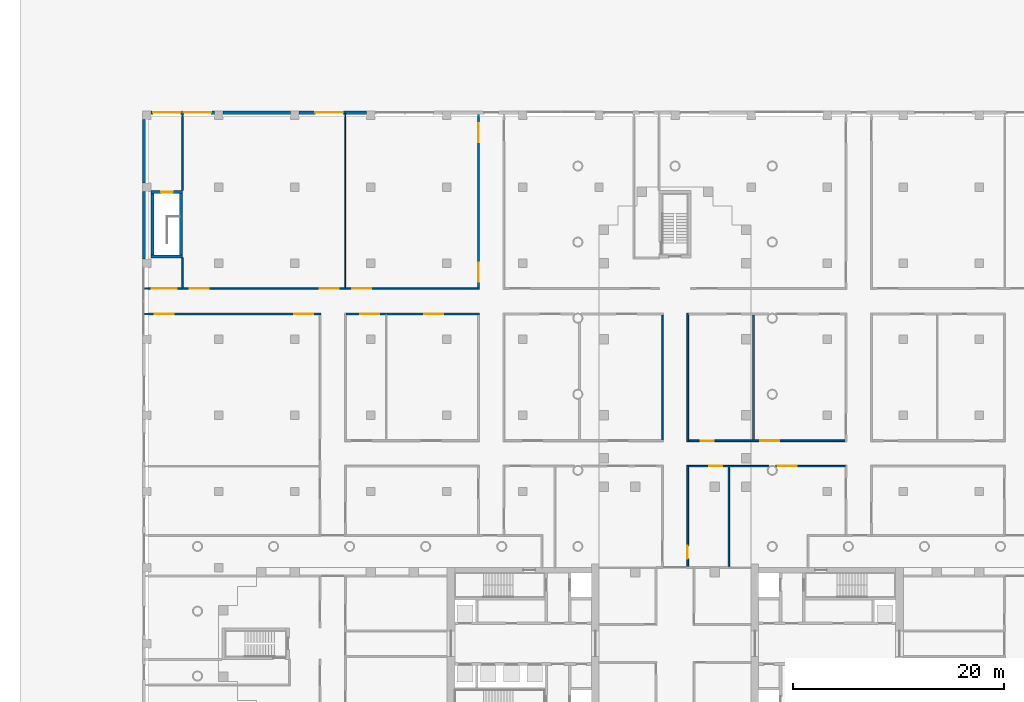
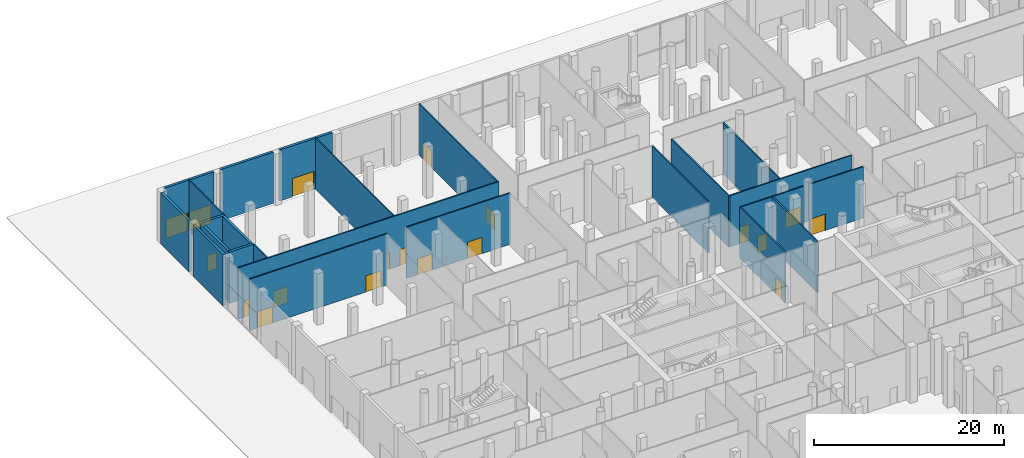
# One storey, part 25 of 44: 24 walls, 19 doors, 19 openings.
"""IFC4 building model written with IfcOpenShell, lengths in metres."""

from ifc_helpers import new_model, si_unit, direction, frame, frame_2d, origin, place, context, subcontext, project, spatial, rectangle, extrude, material, layer, layer_set, type_object, element, fill, save


model = new_model("IFC4")

# Units and contexts
model_context = context("Model", 3, precision=1e-05, world=origin(), true_north=direction((0.0, 1.0)))
body_context = subcontext(model_context, "Body", "Model", "MODEL_VIEW")
ifc_project = project(units=[si_unit("LENGTHUNIT", "METRE"), si_unit("AREAUNIT", "SQUARE_METRE"), si_unit("VOLUMEUNIT", "CUBIC_METRE"), si_unit("PLANEANGLEUNIT", "RADIAN"), si_unit("MASSUNIT", "GRAM", prefix="KILO")], contexts=[model_context])

# Site, building, storey
site_placement = place(None, origin())
site = spatial("IfcSite", under=ifc_project, at=site_placement, CompositionType="ELEMENT")
building_placement = place(site_placement, origin())
building = spatial("IfcBuilding", under=site, at=building_placement, Name="Fustian Cross Tower", CompositionType="ELEMENT")
storey_placement = place(building_placement, origin())
storey = spatial("IfcBuildingStorey", under=building, at=storey_placement, Name="L00", CompositionType="ELEMENT", Elevation=0.0)

# Wall, openings, doors
ifc_material_1 = material(Name="Plasterboard on steel stud", Category="steel")
ifc_layer_1 = layer(ifc_material_1, 0.14990234375)
ifc_layer_set_1 = layer_set([ifc_layer_1], Name="Plasterboard on steel stud")
wall_type_1 = type_object("IfcWallType", Name="COMPARTMENT WALL 150 EI 60", PredefinedType="PARTITIONING", material=ifc_layer_set_1)
wall_1_placement = place(storey_placement, frame((-50.219970703125, 31.199951171875, 0.0), z_axis=(0.0, 0.0, 1.0), x_axis=(1.0, 0.0, 0.0)))
wall_1 = element("IfcWall", 1, at=wall_1_placement, inside=storey, type_object=wall_type_1, Name="Partition 11", PredefinedType="PARTITIONING", context=body_context, shape_type="SweptSolid", body=[
    extrude(rectangle(XDim=16.695068359375, YDim=0.14990234375, at=frame_2d((8.34765625, 0.0))), origin(), (0.0, 0.0, 1.0), 6.60009765625),
])
opening_1_placement = place(wall_1_placement, frame((0.969970703125, 0.0, 0.0)))
opening_1 = element("IfcOpeningElement", 2, at=opening_1_placement, cuts=wall_1, Name="Opening D02081", PredefinedType="OPENING", context=body_context, shape_type="SweptSolid", body=[
    extrude(rectangle(XDim=1.800048828125, YDim=2.10009765625, at=frame_2d((0.89990234375, 1.050048828125))), frame((0.0, 0.0849609375, 0.0), z_axis=(0.0, -1.0, 0.0), x_axis=(1.0, 0.0, 0.0)), (0.0, 0.0, 1.0), 0.169921875),
])
opening_2_placement = place(wall_1_placement, frame((14.169921875, 0.0, 0.0)))
opening_2 = element("IfcOpeningElement", 3, at=opening_2_placement, cuts=wall_1, Name="Opening D02082", PredefinedType="OPENING", context=body_context, shape_type="SweptSolid", body=[
    extrude(rectangle(XDim=1.800048828125, YDim=2.10009765625, at=frame_2d((0.89990234375, 1.050048828125))), frame((0.0, 0.0849609375, 0.0), z_axis=(0.0, -1.0, 0.0), x_axis=(1.0, 0.0, 0.0)), (0.0, 0.0, 1.0), 0.169921875),
])
ifc_material_2 = material(Name="Timber fire door set", Category="wood")
door_type_1 = type_object("IfcDoorType", Name="FIRE DOUBLE DOOR 1800 FD30S", OperationType="DOUBLE_DOOR_DOUBLE_SWING", PredefinedType="DOOR", material=ifc_material_2)
door_1_placement = place(opening_1_placement, origin())
door_1 = element("IfcDoor", 4, at=door_1_placement, inside=storey, type_object=door_type_1, Name="Door D02081", OperationType="DOUBLE_DOOR_DOUBLE_SWING", OverallHeight=2.10009765625, OverallWidth=1.800048828125, PredefinedType="DOOR", context=body_context, shape_type="SweptSolid", body=[
    extrude(rectangle(XDim=1.800048828125, YDim=2.10009765625, at=frame_2d((0.89990234375, 1.050048828125))), frame((0.0, 0.02490234375, 0.0), z_axis=(0.0, -1.0, 0.0), x_axis=(1.0, 0.0, 0.0)), (0.0, 0.0, 1.0), 0.050048828125),
])
fill(opening_1, door_1)
door_2_placement = place(opening_2_placement, origin())
door_2 = element("IfcDoor", 5, at=door_2_placement, inside=storey, type_object=door_type_1, Name="Door D02082", OperationType="DOUBLE_DOOR_DOUBLE_SWING", OverallHeight=2.10009765625, OverallWidth=1.800048828125, PredefinedType="DOOR", context=body_context, shape_type="SweptSolid", body=[
    extrude(rectangle(XDim=1.800048828125, YDim=2.10009765625, at=frame_2d((0.89990234375, 1.050048828125))), frame((0.0, 0.02490234375, 0.0), z_axis=(0.0, -1.0, 0.0), x_axis=(1.0, 0.0, 0.0)), (0.0, 0.0, 1.0), 0.050048828125),
])
fill(opening_2, door_2)

wall_2_placement = place(storey_placement, frame((-50.219970703125, 33.60009765625, 0.0), z_axis=(0.0, 0.0, 1.0), x_axis=(1.0, 0.0, 0.0)))
wall_2 = element("IfcWall", 6, at=wall_2_placement, inside=storey, type_object=wall_type_1, Name="Partition 12", PredefinedType="PARTITIONING", context=body_context, shape_type="SweptSolid", body=[
    extrude(rectangle(XDim=31.695068359375, YDim=0.14990234375, at=frame_2d((15.84765625, 0.0))), origin(), (0.0, 0.0, 1.0), 6.60009765625),
])
opening_3_placement = place(wall_2_placement, frame((0.669921875, 0.0, 0.0)))
opening_3 = element("IfcOpeningElement", 7, at=opening_3_placement, cuts=wall_2, Name="Opening D02031", PredefinedType="OPENING", context=body_context, shape_type="SweptSolid", body=[
    extrude(rectangle(XDim=2.39990234375, YDim=2.10009765625, at=frame_2d((1.199951171875, 1.050048828125))), frame((0.0, 0.0849609375, 0.0), z_axis=(0.0, -1.0, 0.0), x_axis=(1.0, 0.0, 0.0)), (0.0, 0.0, 1.0), 0.169921875),
])
opening_4_placement = place(wall_2_placement, frame((19.669921875, 0.0, 0.0)))
opening_4 = element("IfcOpeningElement", 8, at=opening_4_placement, cuts=wall_2, Name="Opening D02087", PredefinedType="OPENING", context=body_context, shape_type="SweptSolid", body=[
    extrude(rectangle(XDim=1.800048828125, YDim=2.10009765625, at=frame_2d((0.89990234375, 1.050048828125))), frame((0.0, 0.0849609375, 0.0), z_axis=(0.0, -1.0, 0.0), x_axis=(1.0, 0.0, 0.0)), (0.0, 0.0, 1.0), 0.169921875),
])
opening_5_placement = place(wall_2_placement, frame((4.27001953125, 0.0, 0.0)))
opening_5 = element("IfcOpeningElement", 9, at=opening_5_placement, cuts=wall_2, Name="Opening D02090", PredefinedType="OPENING", context=body_context, shape_type="SweptSolid", body=[
    extrude(rectangle(XDim=1.800048828125, YDim=2.10009765625, at=frame_2d((0.89990234375, 1.050048828125))), frame((0.0, 0.0849609375, 0.0), z_axis=(0.0, -1.0, 0.0), x_axis=(1.0, 0.0, 0.0)), (0.0, 0.0, 1.0), 0.169921875),
])
opening_6_placement = place(wall_2_placement, frame((16.570068359375, 0.0, 0.0)))
opening_6 = element("IfcOpeningElement", 10, at=opening_6_placement, cuts=wall_2, Name="Opening D02091", PredefinedType="OPENING", context=body_context, shape_type="SweptSolid", body=[
    extrude(rectangle(XDim=1.800048828125, YDim=2.10009765625, at=frame_2d((0.89990234375, 1.050048828125))), frame((0.0, 0.0849609375, 0.0), z_axis=(0.0, -1.0, 0.0), x_axis=(1.0, 0.0, 0.0)), (0.0, 0.0, 1.0), 0.169921875),
])
door_3_placement = place(opening_4_placement, frame((1.800048828125, 0.0, 0.0), z_axis=(0.0, 0.0, 1.0), x_axis=(-1.0, 0.0, 0.0)))
door_3 = element("IfcDoor", 11, at=door_3_placement, inside=storey, type_object=door_type_1, Name="Door D02087", OperationType="DOUBLE_DOOR_DOUBLE_SWING", OverallHeight=2.10009765625, OverallWidth=1.800048828125, PredefinedType="DOOR", context=body_context, shape_type="SweptSolid", body=[
    extrude(rectangle(XDim=1.800048828125, YDim=2.10009765625, at=frame_2d((0.89990234375, 1.050048828125))), frame((0.0, 0.02490234375, 0.0), z_axis=(0.0, -1.0, 0.0), x_axis=(1.0, 0.0, 0.0)), (0.0, 0.0, 1.0), 0.050048828125),
])
fill(opening_4, door_3)
door_4_placement = place(opening_5_placement, frame((1.800048828125, 0.0, 0.0), z_axis=(0.0, 0.0, 1.0), x_axis=(-1.0, 0.0, 0.0)))
door_4 = element("IfcDoor", 12, at=door_4_placement, inside=storey, type_object=door_type_1, Name="Door D02090", OperationType="DOUBLE_DOOR_DOUBLE_SWING", OverallHeight=2.10009765625, OverallWidth=1.800048828125, PredefinedType="DOOR", context=body_context, shape_type="SweptSolid", body=[
    extrude(rectangle(XDim=1.800048828125, YDim=2.10009765625, at=frame_2d((0.89990234375, 1.050048828125))), frame((0.0, 0.02490234375, 0.0), z_axis=(0.0, -1.0, 0.0), x_axis=(1.0, 0.0, 0.0)), (0.0, 0.0, 1.0), 0.050048828125),
])
fill(opening_5, door_4)
door_5_placement = place(opening_6_placement, frame((1.800048828125, 0.0, 0.0), z_axis=(0.0, 0.0, 1.0), x_axis=(-1.0, 0.0, 0.0)))
door_5 = element("IfcDoor", 13, at=door_5_placement, inside=storey, type_object=door_type_1, Name="Door D02091", OperationType="DOUBLE_DOOR_DOUBLE_SWING", OverallHeight=2.10009765625, OverallWidth=1.800048828125, PredefinedType="DOOR", context=body_context, shape_type="SweptSolid", body=[
    extrude(rectangle(XDim=1.800048828125, YDim=2.10009765625, at=frame_2d((0.89990234375, 1.050048828125))), frame((0.0, 0.02490234375, 0.0), z_axis=(0.0, -1.0, 0.0), x_axis=(1.0, 0.0, 0.0)), (0.0, 0.0, 1.0), 0.050048828125),
])
fill(opening_6, door_5)
ifc_material_3 = material(Name="Timber fire door set", Category="wood")
door_type_2 = type_object("IfcDoorType", Name="FIRE DOUBLE DOOR 2400 FD30S", OperationType="DOUBLE_DOOR_DOUBLE_SWING", PredefinedType="DOOR", material=ifc_material_3)
door_6_placement = place(opening_3_placement, frame((2.39990234375, 0.0, 0.0), z_axis=(0.0, 0.0, 1.0), x_axis=(-1.0, 0.0, 0.0)))
door_6 = element("IfcDoor", 14, at=door_6_placement, inside=storey, type_object=door_type_2, Name="Door D02031", OperationType="DOUBLE_DOOR_DOUBLE_SWING", OverallHeight=2.10009765625, OverallWidth=2.39990234375, PredefinedType="DOOR", context=body_context, shape_type="SweptSolid", body=[
    extrude(rectangle(XDim=2.39990234375, YDim=2.10009765625, at=frame_2d((1.199951171875, 1.050048828125))), frame((0.0, 0.02490234375, 0.0), z_axis=(0.0, -1.0, 0.0), x_axis=(1.0, 0.0, 0.0)), (0.0, 0.0, 1.0), 0.050048828125),
])
fill(opening_3, door_6)

# Walls
wall_3_placement = place(storey_placement, frame((-46.60009765625, 33.675048828125, 0.0), z_axis=(0.0, 0.0, 1.0), x_axis=(0.0, 1.0, 0.0)))
element("IfcWall", 15, at=wall_3_placement, inside=storey, type_object=wall_type_1, Name="Partition 15", PredefinedType="PARTITIONING", context=body_context, shape_type="SweptSolid", body=[
    extrude(rectangle(XDim=2.824951171875, YDim=0.14990234375, at=frame_2d((1.41259765625, 0.0))), origin(), (0.0, 0.0, 1.0), 6.60009765625),
])
wall_4_placement = place(storey_placement, frame((-46.60009765625, 42.89990234375, 0.0), z_axis=(0.0, 0.0, 1.0), x_axis=(0.0, 1.0, 0.0)))
element("IfcWall", 16, at=wall_4_placement, inside=storey, type_object=wall_type_1, Name="Partition 16", PredefinedType="PARTITIONING", context=body_context, shape_type="SweptSolid", body=[
    extrude(rectangle(XDim=7.320068359375, YDim=0.14990234375, at=frame_2d((3.66015625, 0.0))), origin(), (0.0, 0.0, 1.0), 6.60009765625),
])

# Wall, openings, doors
wall_5_placement = place(storey_placement, frame((-31.125, 31.199951171875, 0.0), z_axis=(0.0, 0.0, 1.0), x_axis=(1.0, 0.0, 0.0)))
wall_5 = element("IfcWall", 17, at=wall_5_placement, inside=storey, type_object=wall_type_1, Name="Partition 35", PredefinedType="PARTITIONING", context=body_context, shape_type="SweptSolid", body=[
    extrude(rectangle(XDim=12.60009765625, YDim=0.14990234375, at=frame_2d((6.300048828125, 0.0))), origin(), (0.0, 0.0, 1.0), 6.60009765625),
])
opening_7_placement = place(wall_5_placement, frame((1.3369140625, 0.0, 0.0)))
opening_7 = element("IfcOpeningElement", 18, at=opening_7_placement, cuts=wall_5, Name="Opening D02077", PredefinedType="OPENING", context=body_context, shape_type="SweptSolid", body=[
    extrude(rectangle(XDim=1.800048828125, YDim=2.10009765625, at=frame_2d((0.89990234375, 1.050048828125))), frame((0.0, 0.0849609375, 0.0), z_axis=(0.0, -1.0, 0.0), x_axis=(1.0, 0.0, 0.0)), (0.0, 0.0, 1.0), 0.169921875),
])
opening_8_placement = place(wall_5_placement, frame((7.375, 0.0, 0.0)))
opening_8 = element("IfcOpeningElement", 19, at=opening_8_placement, cuts=wall_5, Name="Opening D02079", PredefinedType="OPENING", context=body_context, shape_type="SweptSolid", body=[
    extrude(rectangle(XDim=1.800048828125, YDim=2.10009765625, at=frame_2d((0.89990234375, 1.050048828125))), frame((0.0, 0.0849609375, 0.0), z_axis=(0.0, -1.0, 0.0), x_axis=(1.0, 0.0, 0.0)), (0.0, 0.0, 1.0), 0.169921875),
])
door_7_placement = place(opening_7_placement, origin())
door_7 = element("IfcDoor", 20, at=door_7_placement, inside=storey, type_object=door_type_1, Name="Door D02077", OperationType="DOUBLE_DOOR_DOUBLE_SWING", OverallHeight=2.10009765625, OverallWidth=1.800048828125, PredefinedType="DOOR", context=body_context, shape_type="SweptSolid", body=[
    extrude(rectangle(XDim=1.800048828125, YDim=2.10009765625, at=frame_2d((0.89990234375, 1.050048828125))), frame((0.0, 0.02490234375, 0.0), z_axis=(0.0, -1.0, 0.0), x_axis=(1.0, 0.0, 0.0)), (0.0, 0.0, 1.0), 0.050048828125),
])
fill(opening_7, door_7)
door_8_placement = place(opening_8_placement, origin())
door_8 = element("IfcDoor", 21, at=door_8_placement, inside=storey, type_object=door_type_1, Name="Door D02079", OperationType="DOUBLE_DOOR_DOUBLE_SWING", OverallHeight=2.10009765625, OverallWidth=1.800048828125, PredefinedType="DOOR", context=body_context, shape_type="SweptSolid", body=[
    extrude(rectangle(XDim=1.800048828125, YDim=2.10009765625, at=frame_2d((0.89990234375, 1.050048828125))), frame((0.0, 0.02490234375, 0.0), z_axis=(0.0, -1.0, 0.0), x_axis=(1.0, 0.0, 0.0)), (0.0, 0.0, 1.0), 0.050048828125),
])
fill(opening_8, door_8)

wall_6_placement = place(storey_placement, frame((-18.60009765625, 33.675048828125, 0.0), z_axis=(0.0, 0.0, 1.0), x_axis=(0.0, 1.0, 0.0)))
wall_6 = element("IfcWall", 22, at=wall_6_placement, inside=storey, type_object=wall_type_1, Name="Partition 43", PredefinedType="PARTITIONING", context=body_context, shape_type="SweptSolid", body=[
    extrude(rectangle(XDim=16.544921875, YDim=0.14990234375, at=frame_2d((8.2724609375, 0.0))), origin(), (0.0, 0.0, 1.0), 6.60009765625),
])
opening_9_placement = place(wall_6_placement, frame((0.574951171875, 0.0, 0.0)))
opening_9 = element("IfcOpeningElement", 23, at=opening_9_placement, cuts=wall_6, Name="Opening D02088", PredefinedType="OPENING", context=body_context, shape_type="SweptSolid", body=[
    extrude(rectangle(XDim=1.800048828125, YDim=2.10009765625, at=frame_2d((0.89990234375, 1.050048828125))), frame((0.0, 0.0849609375, 0.0), z_axis=(0.0, -1.0, 0.0), x_axis=(1.0, 0.0, 0.0)), (0.0, 0.0, 1.0), 0.169921875),
])
opening_10_placement = place(wall_6_placement, frame((13.77490234375, 0.0, 0.0)))
opening_10 = element("IfcOpeningElement", 24, at=opening_10_placement, cuts=wall_6, Name="Opening D02089", PredefinedType="OPENING", context=body_context, shape_type="SweptSolid", body=[
    extrude(rectangle(XDim=1.800048828125, YDim=2.10009765625, at=frame_2d((0.89990234375, 1.050048828125))), frame((0.0, 0.0849609375, 0.0), z_axis=(0.0, -1.0, 0.0), x_axis=(1.0, 0.0, 0.0)), (0.0, 0.0, 1.0), 0.169921875),
])
door_9_placement = place(opening_9_placement, frame((1.800048828125, 0.0, 0.0), z_axis=(0.0, 0.0, 1.0), x_axis=(-1.0, 0.0, 0.0)))
door_9 = element("IfcDoor", 25, at=door_9_placement, inside=storey, type_object=door_type_1, Name="Door D02088", OperationType="DOUBLE_DOOR_DOUBLE_SWING", OverallHeight=2.10009765625, OverallWidth=1.800048828125, PredefinedType="DOOR", context=body_context, shape_type="SweptSolid", body=[
    extrude(rectangle(XDim=1.800048828125, YDim=2.10009765625, at=frame_2d((0.89990234375, 1.050048828125))), frame((0.0, 0.02490234375, 0.0), z_axis=(0.0, -1.0, 0.0), x_axis=(1.0, 0.0, 0.0)), (0.0, 0.0, 1.0), 0.050048828125),
])
fill(opening_9, door_9)
door_10_placement = place(opening_10_placement, frame((1.800048828125, 0.0, 0.0), z_axis=(0.0, 0.0, 1.0), x_axis=(-1.0, 0.0, 0.0)))
door_10 = element("IfcDoor", 26, at=door_10_placement, inside=storey, type_object=door_type_1, Name="Door D02089", OperationType="DOUBLE_DOOR_DOUBLE_SWING", OverallHeight=2.10009765625, OverallWidth=1.800048828125, PredefinedType="DOOR", context=body_context, shape_type="SweptSolid", body=[
    extrude(rectangle(XDim=1.800048828125, YDim=2.10009765625, at=frame_2d((0.89990234375, 1.050048828125))), frame((0.0, 0.02490234375, 0.0), z_axis=(0.0, -1.0, 0.0), x_axis=(1.0, 0.0, 0.0)), (0.0, 0.0, 1.0), 0.050048828125),
])
fill(opening_10, door_10)

# Wall
wall_7_placement = place(storey_placement, frame((-1.199951171875, 19.27490234375, 0.0), z_axis=(0.0, 0.0, 1.0), x_axis=(0.0, 1.0, 0.0)))
element("IfcWall", 27, at=wall_7_placement, inside=storey, type_object=wall_type_1, Name="Partition 81", PredefinedType="PARTITIONING", context=body_context, shape_type="SweptSolid", body=[
    extrude(rectangle(XDim=11.85009765625, YDim=0.14990234375, at=frame_2d((5.925048828125, 0.0))), origin(), (0.0, 0.0, 1.0), 6.60009765625),
])

# Wall, opening, door
wall_8_placement = place(storey_placement, frame((1.199951171875, 7.27490234375, 0.0), z_axis=(0.0, 0.0, 1.0), x_axis=(0.0, 1.0, 0.0)))
wall_8 = element("IfcWall", 28, at=wall_8_placement, inside=storey, type_object=wall_type_1, Name="Partition 83", PredefinedType="PARTITIONING", context=body_context, shape_type="SweptSolid", body=[
    extrude(rectangle(XDim=9.60009765625, YDim=0.14990234375, at=frame_2d((4.800048828125, 0.0))), origin(), (0.0, 0.0, 1.0), 6.60009765625),
])
opening_11_placement = place(wall_8_placement, frame((0.77490234375, 0.0, 0.0)))
opening_11 = element("IfcOpeningElement", 29, at=opening_11_placement, cuts=wall_8, Name="Opening D02035", PredefinedType="OPENING", context=body_context, shape_type="SweptSolid", body=[
    extrude(rectangle(XDim=1.199951171875, YDim=2.10009765625, at=frame_2d((0.60009765625, 1.050048828125))), frame((0.0, 0.0849609375, 0.0), z_axis=(0.0, -1.0, 0.0), x_axis=(1.0, 0.0, 0.0)), (0.0, 0.0, 1.0), 0.169921875),
])
ifc_material_4 = material(Name="Timber fire door set", Category="wood")
door_type_3 = type_object("IfcDoorType", Name="FIRE SWING DOOR 1200 FD30S", OperationType="SINGLE_SWING_LEFT", PredefinedType="DOOR", material=ifc_material_4)
door_11_placement = place(opening_11_placement, frame((1.199951171875, 0.0, 0.0), z_axis=(0.0, 0.0, 1.0), x_axis=(-1.0, 0.0, 0.0)))
door_11 = element("IfcDoor", 30, at=door_11_placement, inside=storey, type_object=door_type_3, Name="Door D02035", OperationType="SINGLE_SWING_RIGHT", OverallHeight=2.10009765625, OverallWidth=1.199951171875, PredefinedType="DOOR", context=body_context, shape_type="SweptSolid", body=[
    extrude(rectangle(XDim=1.199951171875, YDim=2.10009765625, at=frame_2d((0.60009765625, 1.050048828125))), frame((0.0, 0.02490234375, 0.0), z_axis=(0.0, -1.0, 0.0), x_axis=(1.0, 0.0, 0.0)), (0.0, 0.0, 1.0), 0.050048828125),
])
fill(opening_11, door_11)

wall_9_placement = place(storey_placement, frame((1.27490234375, 16.800048828125, 0.0), z_axis=(0.0, 0.0, 1.0), x_axis=(1.0, 0.0, 0.0)))
wall_9 = element("IfcWall", 31, at=wall_9_placement, inside=storey, type_object=wall_type_1, Name="Partition 84", PredefinedType="PARTITIONING", context=body_context, shape_type="SweptSolid", body=[
    extrude(rectangle(XDim=7.603515625, YDim=0.14990234375, at=frame_2d((3.8017578125, 0.0))), origin(), (0.0, 0.0, 1.0), 6.60009765625),
])
opening_12_placement = place(wall_9_placement, frame((1.97509765625, 0.0, 0.0)))
opening_12 = element("IfcOpeningElement", 32, at=opening_12_placement, cuts=wall_9, Name="Opening D02036", PredefinedType="OPENING", context=body_context, shape_type="SweptSolid", body=[
    extrude(rectangle(XDim=1.199951171875, YDim=2.10009765625, at=frame_2d((0.60009765625, 1.050048828125))), frame((0.0, 0.0849609375, 0.0), z_axis=(0.0, -1.0, 0.0), x_axis=(1.0, 0.0, 0.0)), (0.0, 0.0, 1.0), 0.169921875),
])
door_12_placement = place(opening_12_placement, frame((1.199951171875, 0.0, 0.0), z_axis=(0.0, 0.0, 1.0), x_axis=(-1.0, 0.0, 0.0)))
door_12 = element("IfcDoor", 33, at=door_12_placement, inside=storey, type_object=door_type_3, Name="Door D02036", OperationType="SINGLE_SWING_LEFT", OverallHeight=2.10009765625, OverallWidth=1.199951171875, PredefinedType="DOOR", context=body_context, shape_type="SweptSolid", body=[
    extrude(rectangle(XDim=1.199951171875, YDim=2.10009765625, at=frame_2d((0.60009765625, 1.050048828125))), frame((0.0, 0.02490234375, 0.0), z_axis=(0.0, -1.0, 0.0), x_axis=(1.0, 0.0, 0.0)), (0.0, 0.0, 1.0), 0.050048828125),
])
fill(opening_12, door_12)

wall_10_placement = place(storey_placement, frame((9.521484375, 16.800048828125, 0.0), z_axis=(0.0, 0.0, 1.0), x_axis=(1.0, 0.0, 0.0)))
wall_10 = element("IfcWall", 34, at=wall_10_placement, inside=storey, type_object=wall_type_1, Name="Partition 161", PredefinedType="PARTITIONING", context=body_context, shape_type="SweptSolid", body=[
    extrude(rectangle(XDim=6.603515625, YDim=0.14990234375, at=frame_2d((3.3017578125, 0.0))), origin(), (0.0, 0.0, 1.0), 6.60009765625),
])
opening_13_placement = place(wall_10_placement, frame((0.178466796875, 0.0, 0.0)))
opening_13 = element("IfcOpeningElement", 35, at=opening_13_placement, cuts=wall_10, Name="Opening D02037", PredefinedType="OPENING", context=body_context, shape_type="SweptSolid", body=[
    extrude(rectangle(XDim=1.800048828125, YDim=2.10009765625, at=frame_2d((0.89990234375, 1.050048828125))), frame((0.0, 0.0849609375, 0.0), z_axis=(0.0, -1.0, 0.0), x_axis=(1.0, 0.0, 0.0)), (0.0, 0.0, 1.0), 0.169921875),
])
door_13_placement = place(opening_13_placement, origin())
door_13 = element("IfcDoor", 36, at=door_13_placement, inside=storey, type_object=door_type_1, Name="Door D02037", OperationType="DOUBLE_DOOR_DOUBLE_SWING", OverallHeight=2.10009765625, OverallWidth=1.800048828125, PredefinedType="DOOR", context=body_context, shape_type="SweptSolid", body=[
    extrude(rectangle(XDim=1.800048828125, YDim=2.10009765625, at=frame_2d((0.89990234375, 1.050048828125))), frame((0.0, 0.02490234375, 0.0), z_axis=(0.0, -1.0, 0.0), x_axis=(1.0, 0.0, 0.0)), (0.0, 0.0, 1.0), 0.050048828125),
])
fill(opening_13, door_13)

# Wall
wall_11_placement = place(storey_placement, frame((1.199951171875, 19.125, 0.0), z_axis=(0.0, 0.0, 1.0), x_axis=(0.0, 1.0, 0.0)))
element("IfcWall", 37, at=wall_11_placement, inside=storey, type_object=wall_type_1, Name="Partition 85", PredefinedType="PARTITIONING", context=body_context, shape_type="SweptSolid", body=[
    extrude(rectangle(XDim=12.14990234375, YDim=0.14990234375, at=frame_2d((6.074951171875, 0.0))), origin(), (0.0, 0.0, 1.0), 6.60009765625),
])

# Wall, openings, doors
wall_12_placement = place(storey_placement, frame((1.27490234375, 19.199951171875, 0.0), z_axis=(0.0, 0.0, 1.0), x_axis=(1.0, 0.0, 0.0)))
wall_12 = element("IfcWall", 38, at=wall_12_placement, inside=storey, type_object=wall_type_1, Name="Partition 86", PredefinedType="PARTITIONING", context=body_context, shape_type="SweptSolid", body=[
    extrude(rectangle(XDim=14.85009765625, YDim=0.14990234375, at=frame_2d((7.425048828125, 0.0))), origin(), (0.0, 0.0, 1.0), 6.60009765625),
])
opening_14_placement = place(wall_12_placement, frame((1.175048828125, 0.0, 0.0)))
opening_14 = element("IfcOpeningElement", 39, at=opening_14_placement, cuts=wall_12, Name="Opening D02042", PredefinedType="OPENING", context=body_context, shape_type="SweptSolid", body=[
    extrude(rectangle(XDim=1.199951171875, YDim=2.10009765625, at=frame_2d((0.60009765625, 1.050048828125))), frame((0.0, 0.0849609375, 0.0), z_axis=(0.0, -1.0, 0.0), x_axis=(1.0, 0.0, 0.0)), (0.0, 0.0, 1.0), 0.169921875),
])
opening_15_placement = place(wall_12_placement, frame((6.800048828125, 0.0, 0.0)))
opening_15 = element("IfcOpeningElement", 40, at=opening_15_placement, cuts=wall_12, Name="Opening D02044", PredefinedType="OPENING", context=body_context, shape_type="SweptSolid", body=[
    extrude(rectangle(XDim=1.800048828125, YDim=2.10009765625, at=frame_2d((0.89990234375, 1.050048828125))), frame((0.0, 0.0849609375, 0.0), z_axis=(0.0, -1.0, 0.0), x_axis=(1.0, 0.0, 0.0)), (0.0, 0.0, 1.0), 0.169921875),
])
door_14_placement = place(opening_15_placement, frame((1.800048828125, 0.0, 0.0), z_axis=(0.0, 0.0, 1.0), x_axis=(-1.0, 0.0, 0.0)))
door_14 = element("IfcDoor", 41, at=door_14_placement, inside=storey, type_object=door_type_1, Name="Door D02044", OperationType="DOUBLE_DOOR_DOUBLE_SWING", OverallHeight=2.10009765625, OverallWidth=1.800048828125, PredefinedType="DOOR", context=body_context, shape_type="SweptSolid", body=[
    extrude(rectangle(XDim=1.800048828125, YDim=2.10009765625, at=frame_2d((0.89990234375, 1.050048828125))), frame((0.0, 0.02490234375, 0.0), z_axis=(0.0, -1.0, 0.0), x_axis=(1.0, 0.0, 0.0)), (0.0, 0.0, 1.0), 0.050048828125),
])
fill(opening_15, door_14)
door_15_placement = place(opening_14_placement, origin())
door_15 = element("IfcDoor", 42, at=door_15_placement, inside=storey, type_object=door_type_3, Name="Door D02042", OperationType="SINGLE_SWING_LEFT", OverallHeight=2.10009765625, OverallWidth=1.199951171875, PredefinedType="DOOR", context=body_context, shape_type="SweptSolid", body=[
    extrude(rectangle(XDim=1.199951171875, YDim=2.10009765625, at=frame_2d((0.60009765625, 1.050048828125))), frame((0.0, 0.02490234375, 0.0), z_axis=(0.0, -1.0, 0.0), x_axis=(1.0, 0.0, 0.0)), (0.0, 0.0, 1.0), 0.050048828125),
])
fill(opening_14, door_15)

# Walls
wall_13_placement = place(storey_placement, frame((5.10009765625, 7.27490234375, 0.0), z_axis=(0.0, 0.0, 1.0), x_axis=(0.0, 1.0, 0.0)))
element("IfcWall", 43, at=wall_13_placement, inside=storey, type_object=wall_type_1, Name="Partition 95", PredefinedType="PARTITIONING", context=body_context, shape_type="SweptSolid", body=[
    extrude(rectangle(XDim=9.4501953125, YDim=0.14990234375, at=frame_2d((4.72509765625, 0.0))), origin(), (0.0, 0.0, 1.0), 6.60009765625),
])
wall_14_placement = place(storey_placement, frame((7.425048828125, 19.27490234375, 0.0), z_axis=(0.0, 0.0, 1.0), x_axis=(0.0, 1.0, 0.0)))
element("IfcWall", 44, at=wall_14_placement, inside=storey, type_object=wall_type_1, Name="Partition 104", PredefinedType="PARTITIONING", context=body_context, shape_type="SweptSolid", body=[
    extrude(rectangle(XDim=11.85009765625, YDim=0.14990234375, at=frame_2d((5.925048828125, 0.0))), origin(), (0.0, 0.0, 1.0), 6.60009765625),
])

# Wall, opening, door
ifc_material_5 = material(Name="Dark rainscreen cladding on blockwork", Category="masonry")
ifc_layer_2 = layer(ifc_material_5, 0.300048828125)
ifc_layer_set_2 = layer_set([ifc_layer_2], Name="Dark rainscreen cladding on blockwork")
wall_type_2 = type_object("IfcWallType", Name="EXTERNAL WALL 300 CLADDING", PredefinedType="SOLIDWALL", material=ifc_layer_set_2)
wall_15_placement = place(storey_placement, frame((-29.199951171875, 50.25, 0.0), z_axis=(0.0, 0.0, 1.0), x_axis=(-1.0, 0.0, 0.0)))
wall_15 = element("IfcWall", 45, at=wall_15_placement, inside=storey, type_object=wall_type_2, Name="External wall N12", PredefinedType="SOLIDWALL", context=body_context, shape_type="SweptSolid", body=[
    extrude(rectangle(XDim=6.400146484375, YDim=0.300048828125, at=frame_2d((3.2001953125, 0.0))), origin(), (0.0, 0.0, 1.0), 6.60009765625),
])
opening_16_placement = place(wall_15_placement, frame((2.25, 0.0, 0.0)))
opening_16 = element("IfcOpeningElement", 46, at=opening_16_placement, cuts=wall_15, Name="Opening EDP41", PredefinedType="OPENING", context=body_context, shape_type="SweptSolid", body=[
    extrude(rectangle(XDim=2.60009765625, YDim=2.39990234375, at=frame_2d((1.300048828125, 1.199951171875))), frame((0.0, 0.159912109375, 0.0), z_axis=(0.0, -1.0, 0.0), x_axis=(1.0, 0.0, 0.0)), (0.0, 0.0, 1.0), 0.320068359375),
])
ifc_material_6 = material(Name="Aluminium and glass", Category="aluminium")
door_type_4 = type_object("IfcDoorType", Name="ENTRANCE DOOR 2600", OperationType="DOUBLE_DOOR_SINGLE_SWING", PredefinedType="DOOR", material=ifc_material_6)
door_16_placement = place(opening_16_placement, frame((2.60009765625, 0.0, 0.0), z_axis=(0.0, 0.0, 1.0), x_axis=(-1.0, 0.0, 0.0)))
door_16 = element("IfcDoor", 47, at=door_16_placement, inside=storey, type_object=door_type_4, Name="Exit door 41", OperationType="DOUBLE_DOOR_DOUBLE_SWING", OverallHeight=2.39990234375, OverallWidth=2.60009765625, PredefinedType="DOOR", context=body_context, shape_type="SweptSolid", body=[
    extrude(rectangle(XDim=2.60009765625, YDim=2.39990234375, at=frame_2d((1.300048828125, 1.199951171875))), frame((0.0, 0.02490234375, 0.0), z_axis=(0.0, -1.0, 0.0), x_axis=(1.0, 0.0, 0.0)), (0.0, 0.0, 1.0), 0.050048828125),
])
fill(opening_16, door_16)

# Wall
wall_16_placement = place(storey_placement, frame((-36.39990234375, 50.25, 0.0), z_axis=(0.0, 0.0, 1.0), x_axis=(-1.0, 0.0, 0.0)))
element("IfcWall", 48, at=wall_16_placement, inside=storey, type_object=wall_type_2, Name="External wall N13", PredefinedType="SOLIDWALL", context=body_context, shape_type="SweptSolid", body=[
    extrude(rectangle(XDim=6.400146484375, YDim=0.300048828125, at=frame_2d((3.2001953125, 0.0))), origin(), (0.0, 0.0, 1.0), 6.60009765625),
])

# Wall, openings, doors
wall_17_placement = place(storey_placement, frame((-43.60009765625, 50.25, 0.0), z_axis=(0.0, 0.0, 1.0), x_axis=(-1.0, 0.0, 0.0)))
wall_17 = element("IfcWall", 49, at=wall_17_placement, inside=storey, type_object=wall_type_2, Name="External wall N14", PredefinedType="SOLIDWALL", context=body_context, shape_type="SweptSolid", body=[
    extrude(rectangle(XDim=6.0, YDim=0.300048828125, at=frame_2d((3.0, 0.0))), origin(), (0.0, 0.0, 1.0), 6.60009765625),
])
opening_17_placement = place(wall_17_placement, frame((0.300048828125, 0.0, 0.0)))
opening_17 = element("IfcOpeningElement", 50, at=opening_17_placement, cuts=wall_17, Name="Opening EDP42", PredefinedType="OPENING", context=body_context, shape_type="SweptSolid", body=[
    extrude(rectangle(XDim=2.60009765625, YDim=2.39990234375, at=frame_2d((1.300048828125, 1.199951171875))), frame((0.0, 0.159912109375, 0.0), z_axis=(0.0, -1.0, 0.0), x_axis=(1.0, 0.0, 0.0)), (0.0, 0.0, 1.0), 0.320068359375),
])
opening_18_placement = place(wall_17_placement, frame((3.199951171875, 0.0, 0.0)))
opening_18 = element("IfcOpeningElement", 51, at=opening_18_placement, cuts=wall_17, Name="Opening EDP43", PredefinedType="OPENING", context=body_context, shape_type="SweptSolid", body=[
    extrude(rectangle(XDim=2.60009765625, YDim=2.39990234375, at=frame_2d((1.300048828125, 1.199951171875))), frame((0.0, 0.159912109375, 0.0), z_axis=(0.0, -1.0, 0.0), x_axis=(1.0, 0.0, 0.0)), (0.0, 0.0, 1.0), 0.320068359375),
])
door_17_placement = place(opening_17_placement, frame((2.60009765625, 0.0, 0.0), z_axis=(0.0, 0.0, 1.0), x_axis=(-1.0, 0.0, 0.0)))
door_17 = element("IfcDoor", 52, at=door_17_placement, inside=storey, type_object=door_type_4, Name="Exit door 42", OperationType="DOUBLE_DOOR_DOUBLE_SWING", OverallHeight=2.39990234375, OverallWidth=2.60009765625, PredefinedType="DOOR", context=body_context, shape_type="SweptSolid", body=[
    extrude(rectangle(XDim=2.60009765625, YDim=2.39990234375, at=frame_2d((1.300048828125, 1.199951171875))), frame((0.0, 0.02490234375, 0.0), z_axis=(0.0, -1.0, 0.0), x_axis=(1.0, 0.0, 0.0)), (0.0, 0.0, 1.0), 0.050048828125),
])
fill(opening_17, door_17)
door_18_placement = place(opening_18_placement, frame((2.60009765625, 0.0, 0.0), z_axis=(0.0, 0.0, 1.0), x_axis=(-1.0, 0.0, 0.0)))
door_18 = element("IfcDoor", 53, at=door_18_placement, inside=storey, type_object=door_type_4, Name="Exit door 43", OperationType="DOUBLE_DOOR_DOUBLE_SWING", OverallHeight=2.39990234375, OverallWidth=2.60009765625, PredefinedType="DOOR", context=body_context, shape_type="SweptSolid", body=[
    extrude(rectangle(XDim=2.60009765625, YDim=2.39990234375, at=frame_2d((1.300048828125, 1.199951171875))), frame((0.0, 0.02490234375, 0.0), z_axis=(0.0, -1.0, 0.0), x_axis=(1.0, 0.0, 0.0)), (0.0, 0.0, 1.0), 0.050048828125),
])
fill(opening_18, door_18)

# Walls
wall_18_placement = place(storey_placement, frame((-50.25, 49.60009765625, 0.0), z_axis=(0.0, 0.0, 1.0), x_axis=(0.0, -1.0, 0.0)))
element("IfcWall", 54, at=wall_18_placement, inside=storey, type_object=wall_type_2, Name="External wall W1", PredefinedType="SOLIDWALL", context=body_context, shape_type="SweptSolid", body=[
    extrude(rectangle(XDim=6.0, YDim=0.300048828125, at=frame_2d((3.0, 0.0))), origin(), (0.0, 0.0, 1.0), 6.60009765625),
])
wall_19_placement = place(storey_placement, frame((-50.25, 42.800048828125, 0.0), z_axis=(0.0, 0.0, 1.0), x_axis=(0.0, -1.0, 0.0)))
element("IfcWall", 55, at=wall_19_placement, inside=storey, type_object=wall_type_2, Name="External wall W2", PredefinedType="SOLIDWALL", context=body_context, shape_type="SweptSolid", body=[
    extrude(rectangle(XDim=6.400146484375, YDim=0.300048828125, at=frame_2d((3.2001953125, 0.0))), origin(), (0.0, 0.0, 1.0), 6.60009765625),
])
ifc_material_7 = material(Name="Plasterboard on steel stud", Category="steel")
ifc_layer_3 = layer(ifc_material_7, 0.10009765625)
ifc_layer_set_3 = layer_set([ifc_layer_3], Name="Plasterboard on steel stud")
wall_type_3 = type_object("IfcWallType", Name="PARTITION 100 STUD", PredefinedType="PARTITIONING", material=ifc_layer_set_3)
wall_20_placement = place(storey_placement, frame((-31.199951171875, 33.675048828125, 0.0), z_axis=(0.0, 0.0, 1.0), x_axis=(0.0, 1.0, 0.0)))
element("IfcWall", 56, at=wall_20_placement, inside=storey, type_object=wall_type_3, Name="Partition 36", PredefinedType="PARTITIONING", context=body_context, shape_type="SweptSolid", body=[
    extrude(rectangle(XDim=16.544921875, YDim=0.10009765625, at=frame_2d((8.2724609375, 0.0))), origin(), (0.0, 0.0, 1.0), 6.60009765625),
])
ifc_material_8 = material(Name="Concrete C50/60", Category="concrete")
ifc_layer_4 = layer(ifc_material_8, 0.300048828125)
ifc_layer_set_4 = layer_set([ifc_layer_4], Name="Concrete C50/60")
wall_type_4 = type_object("IfcWallType", Name="STAIR ENCLOSURE WALL 300 C50/60", PredefinedType="SHEAR", material=ifc_layer_set_4)
wall_21_placement = place(storey_placement, frame((-49.60009765625, 36.64990234375, 0.0), z_axis=(0.0, 0.0, 1.0), x_axis=(1.0, 0.0, 0.0)))
element("IfcWall", 57, at=wall_21_placement, inside=storey, type_object=wall_type_4, Name="Stair enclosure wall", PredefinedType="SHEAR", context=body_context, shape_type="SweptSolid", body=[
    extrude(rectangle(XDim=3.0, YDim=0.300048828125, at=frame_2d((1.5, 0.0))), origin(), (0.0, 0.0, 1.0), 6.60009765625),
])

# Wall, opening, door
wall_22_placement = place(storey_placement, frame((-49.60009765625, 42.75, 0.0), z_axis=(0.0, 0.0, 1.0), x_axis=(1.0, 0.0, 0.0)))
wall_22 = element("IfcWall", 58, at=wall_22_placement, inside=storey, type_object=wall_type_4, Name="Stair enclosure wall", PredefinedType="SHEAR", context=body_context, shape_type="SweptSolid", body=[
    extrude(rectangle(XDim=3.0, YDim=0.300048828125, at=frame_2d((1.5, 0.0))), origin(), (0.0, 0.0, 1.0), 6.60009765625),
])
opening_19_placement = place(wall_22_placement, frame((0.949951171875, 0.0, 0.0)))
opening_19 = element("IfcOpeningElement", 59, at=opening_19_placement, cuts=wall_22, Name="Opening CD-02-42", PredefinedType="OPENING", context=body_context, shape_type="SweptSolid", body=[
    extrude(rectangle(XDim=1.10009765625, YDim=2.10009765625, at=frame_2d((0.550048828125, 1.050048828125))), frame((0.0, 0.159912109375, 0.0), z_axis=(0.0, -1.0, 0.0), x_axis=(1.0, 0.0, 0.0)), (0.0, 0.0, 1.0), 0.320068359375),
])
ifc_material_9 = material(Name="Steel", Category="steel")
door_type_5 = type_object("IfcDoorType", Name="FIRE DOOR FD60S 1100X2100", OperationType="SINGLE_SWING_LEFT", PredefinedType="DOOR", material=ifc_material_9)
door_19_placement = place(opening_19_placement, frame((1.10009765625, 0.0, 0.0), z_axis=(0.0, 0.0, 1.0), x_axis=(-1.0, 0.0, 0.0)))
door_19 = element("IfcDoor", 60, at=door_19_placement, inside=storey, type_object=door_type_5, Name="Core door CD-02-42", OperationType="SINGLE_SWING_LEFT", OverallHeight=2.10009765625, OverallWidth=1.10009765625, PredefinedType="DOOR", context=body_context, shape_type="SweptSolid", body=[
    extrude(rectangle(XDim=1.10009765625, YDim=2.10009765625, at=frame_2d((0.550048828125, 1.050048828125))), frame((0.0, 0.02490234375, 0.0), z_axis=(0.0, -1.0, 0.0), x_axis=(1.0, 0.0, 0.0)), (0.0, 0.0, 1.0), 0.050048828125),
])
fill(opening_19, door_19)

# Walls
for number, where, z_axis, x_axis, name in (
    (61, (-49.449951171875, 36.800048828125, 0.0), (0.0, 0.0, 1.0), (0.0, 1.0, 0.0), "Stair enclosure wall"),
    (62, (-46.75, 36.800048828125, 0.0), (0.0, 0.0, 1.0), (0.0, 1.0, 0.0), "Stair enclosure wall"),
):
    element("IfcWall", number, at=place(storey_placement, frame(where, z_axis=z_axis, x_axis=x_axis)), inside=storey, type_object=wall_type_4, Name=name, PredefinedType="SHEAR", context=body_context, shape_type="SweptSolid", body=[
        extrude(rectangle(XDim=5.800048828125, YDim=0.300048828125, at=frame_2d((2.89990234375, 0.0))), origin(), (0.0, 0.0, 1.0), 6.60009765625),
    ])

save(model, "model.ifc")
